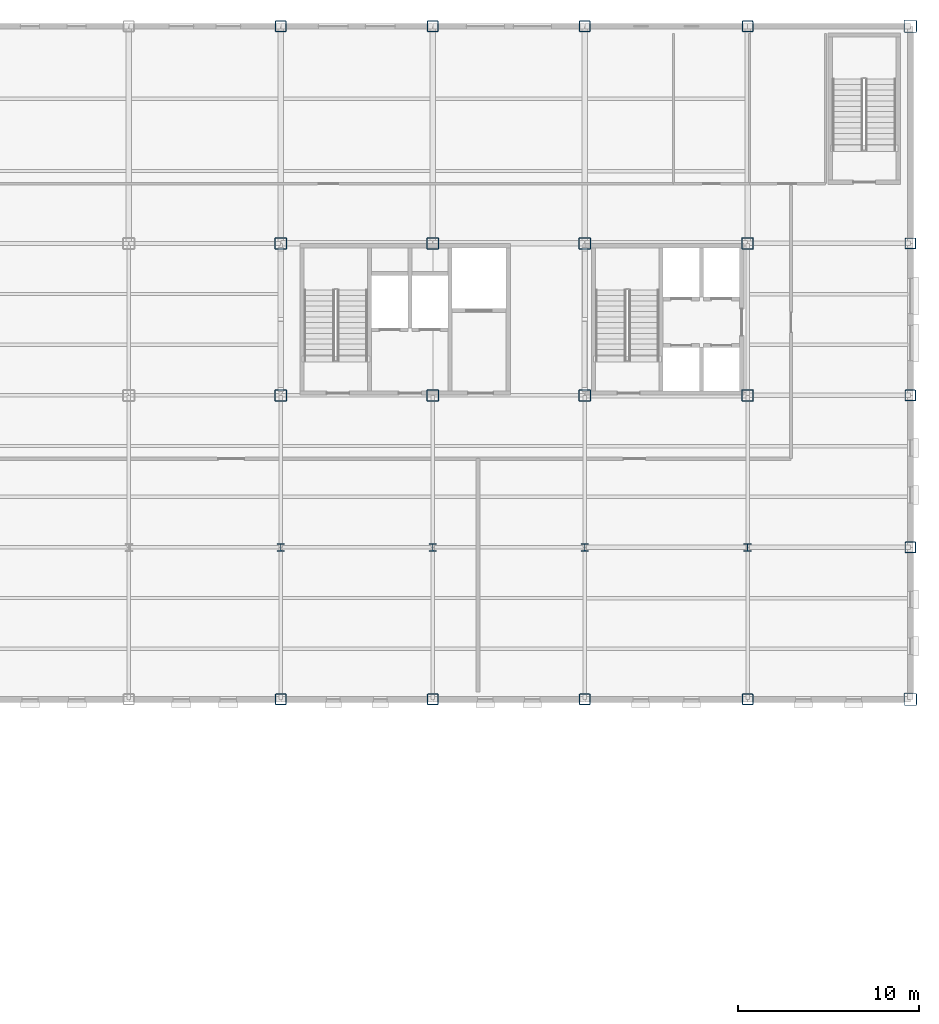
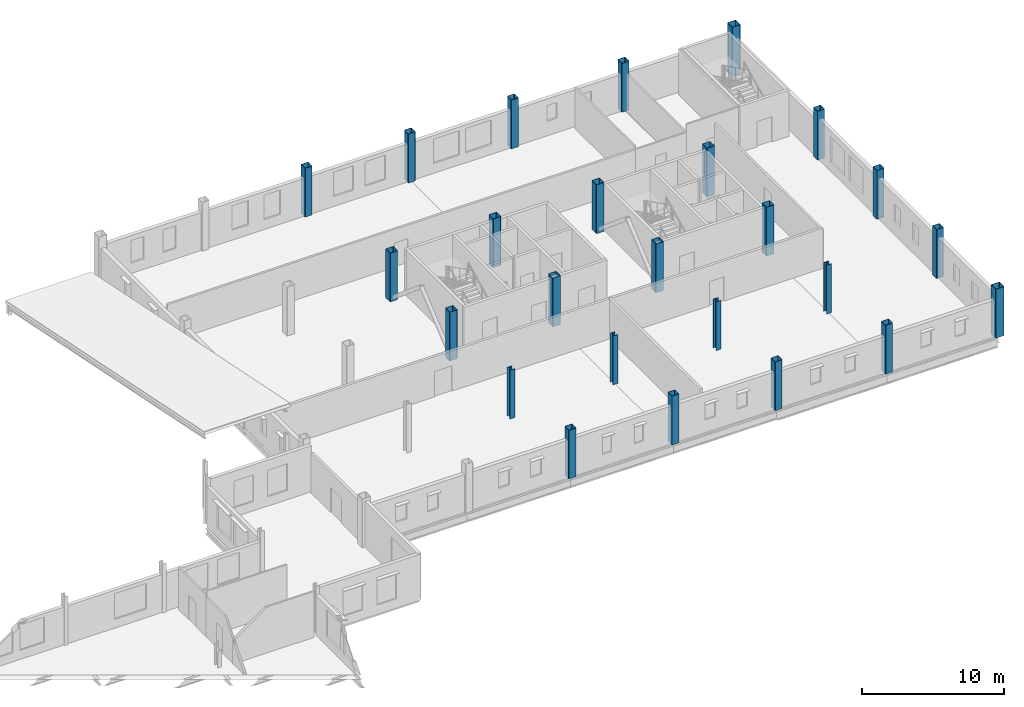
# One storey, part 14 of 75: 25 columns.
"""IFC4 building model written with IfcOpenShell, lengths in metres."""

from ifc_helpers import new_model, si_unit, direction, frame, origin, origin_2d, place, context, subcontext, project, spatial, hollow_rectangle, i_section, extrude, material, material_profile, profile_set, type_object, element, save


model = new_model("IFC4")

# Units and contexts
model_context = context("Model", 3, precision=1e-05, world=origin(), true_north=direction((0.0, 1.0)))
body_context = subcontext(model_context, "Body", "Model", "MODEL_VIEW")
ifc_project = project(units=[si_unit("LENGTHUNIT", "METRE"), si_unit("AREAUNIT", "SQUARE_METRE"), si_unit("VOLUMEUNIT", "CUBIC_METRE"), si_unit("PLANEANGLEUNIT", "RADIAN"), si_unit("MASSUNIT", "GRAM", prefix="KILO")], contexts=[model_context])

# Site, building, storey
site_placement = place(None, origin())
site = spatial("IfcSite", under=ifc_project, at=site_placement, CompositionType="ELEMENT")
building_placement = place(site_placement, origin())
building = spatial("IfcBuilding", under=site, at=building_placement, Name="Yukiwa Park Conservatory and Herbarium", CompositionType="ELEMENT")
storey_placement = place(building_placement, frame((0.0, 0.0, 4.800048828125)))
storey = spatial("IfcBuildingStorey", under=building, at=storey_placement, Name="L01", CompositionType="ELEMENT", Elevation=4.800048828125)

# Columns
ifc_material_1 = material(Name="Steel Q355D", Category="steel")
ifc_material_profile_1 = material_profile(ifc_material_1, hollow_rectangle(XDim=0.60009765625, YDim=0.60009765625, WallThickness=0.02490234375, InnerFilletRadius=0.02490234375, OuterFilletRadius=0.050048828125, at=origin_2d()), Name="BOX 600x600x25")
ifc_profile_set_1 = profile_set([ifc_material_profile_1], Name="Steel Q355D")
column_type_1 = type_object("IfcColumnType", Name="COL-TW-BOX600-EXT", PredefinedType="COLUMN", material=ifc_profile_set_1)
for number, where, z_axis, x_axis, name in (
    (1, (133.199951171875, 78.0, 0.0), (0.0, 0.0, 1.0), (1.0, 0.0, 0.0), "L01 column V5-X1332-Y780"),
    (2, (133.199951171875, 115.199951171875, 0.0), (0.0, 0.0, 1.0), (1.0, 0.0, 0.0), "L01 column V5-X1332-Y1152"),
    (3, (141.60009765625, 78.0, 0.0), (0.0, 0.0, 1.0), (1.0, 0.0, 0.0), "L01 column V5-X1416-Y780"),
    (4, (141.60009765625, 115.199951171875, 0.0), (0.0, 0.0, 1.0), (1.0, 0.0, 0.0), "L01 column V5-X1416-Y1152"),
    (5, (150.0, 78.0, 0.0), (0.0, 0.0, 1.0), (1.0, 0.0, 0.0), "L01 column V5-X1500-Y780"),
    (6, (150.0, 115.199951171875, 0.0), (0.0, 0.0, 1.0), (1.0, 0.0, 0.0), "L01 column V5-X1500-Y1152"),
    (7, (159.0, 78.0, 0.0), (0.0, 0.0, 1.0), (1.0, 0.0, 0.0), "L01 column V5-X1590-Y780"),
    (8, (159.0, 115.199951171875, 0.0), (0.0, 0.0, 1.0), (1.0, 0.0, 0.0), "L01 column V5-X1590-Y1152"),
    (9, (168.0, 86.39990234375, 0.0), (0.0, 0.0, 1.0), (1.0, 0.0, 0.0), "L01 column V5-X1680-Y864"),
    (10, (168.0, 94.800048828125, 0.0), (0.0, 0.0, 1.0), (1.0, 0.0, 0.0), "L01 column V5-X1680-Y948"),
    (11, (168.0, 103.199951171875, 0.0), (0.0, 0.0, 1.0), (1.0, 0.0, 0.0), "L01 column V5-X1680-Y1032"),
):
    element("IfcColumn", number, at=place(storey_placement, frame(where, z_axis=z_axis, x_axis=x_axis)), inside=storey, type_object=column_type_1, Name=name, PredefinedType="COLUMN", context=body_context, shape_type="SweptSolid", body=[
        extrude(hollow_rectangle(XDim=0.60009765625, YDim=0.60009765625, WallThickness=0.02490234375, InnerFilletRadius=0.02490234375, OuterFilletRadius=0.050048828125, at=origin_2d()), origin(), (0.0, 0.0, 1.0), 4.199951171875),
    ])
ifc_material_2 = material(Name="Steel Q355D", Category="steel")
ifc_material_profile_2 = material_profile(ifc_material_2, hollow_rectangle(XDim=0.64990234375, YDim=0.64990234375, WallThickness=0.028076171875, InnerFilletRadius=0.028076171875, OuterFilletRadius=0.055908203125, at=origin_2d()), Name="BOX 650x650x28")
ifc_profile_set_2 = profile_set([ifc_material_profile_2], Name="Steel Q355D")
column_type_2 = type_object("IfcColumnType", Name="COL-TW-BOX650", PredefinedType="COLUMN", material=ifc_profile_set_2)
for number, where, z_axis, x_axis, name in (
    (12, (133.199951171875, 94.800048828125, 0.0), (0.0, 0.0, 1.0), (1.0, 0.0, 0.0), "L01 column V5-X1332-Y948"),
    (13, (133.199951171875, 103.199951171875, 0.0), (0.0, 0.0, 1.0), (1.0, 0.0, 0.0), "L01 column V5-X1332-Y1032"),
    (14, (141.60009765625, 94.800048828125, 0.0), (0.0, 0.0, 1.0), (1.0, 0.0, 0.0), "L01 column V5-X1416-Y948"),
    (15, (141.60009765625, 103.199951171875, 0.0), (0.0, 0.0, 1.0), (1.0, 0.0, 0.0), "L01 column V5-X1416-Y1032"),
    (16, (150.0, 94.800048828125, 0.0), (0.0, 0.0, 1.0), (1.0, 0.0, 0.0), "L01 column V5-X1500-Y948"),
    (17, (150.0, 103.199951171875, 0.0), (0.0, 0.0, 1.0), (1.0, 0.0, 0.0), "L01 column V5-X1500-Y1032"),
    (18, (159.0, 94.800048828125, 0.0), (0.0, 0.0, 1.0), (1.0, 0.0, 0.0), "L01 column V5-X1590-Y948"),
    (19, (159.0, 103.199951171875, 0.0), (0.0, 0.0, 1.0), (1.0, 0.0, 0.0), "L01 column V5-X1590-Y1032"),
):
    element("IfcColumn", number, at=place(storey_placement, frame(where, z_axis=z_axis, x_axis=x_axis)), inside=storey, type_object=column_type_2, Name=name, PredefinedType="COLUMN", context=body_context, shape_type="SweptSolid", body=[
        extrude(hollow_rectangle(XDim=0.64990234375, YDim=0.64990234375, WallThickness=0.028076171875, InnerFilletRadius=0.028076171875, OuterFilletRadius=0.055908203125, at=origin_2d()), origin(), (0.0, 0.0, 1.0), 4.199951171875),
    ])
ifc_material_3 = material(Name="Steel Q355D", Category="steel")
ifc_material_profile_3 = material_profile(ifc_material_3, hollow_rectangle(XDim=0.699951171875, YDim=0.699951171875, WallThickness=0.031982421875, InnerFilletRadius=0.031982421875, OuterFilletRadius=0.06396484375, at=origin_2d()), Name="BOX 700x700x32")
ifc_profile_set_3 = profile_set([ifc_material_profile_3], Name="Steel Q355D")
column_type_3 = type_object("IfcColumnType", Name="COL-TW-BOX700-EXT", PredefinedType="COLUMN", material=ifc_profile_set_3)
for number, where, z_axis, x_axis, name in (
    (20, (168.0, 78.0, 0.0), (0.0, 0.0, 1.0), (1.0, 0.0, 0.0), "L01 column V5-X1680-Y780"),
    (21, (168.0, 115.199951171875, 0.0), (0.0, 0.0, 1.0), (1.0, 0.0, 0.0), "L01 column V5-X1680-Y1152"),
):
    element("IfcColumn", number, at=place(storey_placement, frame(where, z_axis=z_axis, x_axis=x_axis)), inside=storey, type_object=column_type_3, Name=name, PredefinedType="COLUMN", context=body_context, shape_type="SweptSolid", body=[
        extrude(hollow_rectangle(XDim=0.699951171875, YDim=0.699951171875, WallThickness=0.031982421875, InnerFilletRadius=0.031982421875, OuterFilletRadius=0.06396484375, at=origin_2d()), origin(), (0.0, 0.0, 1.0), 4.199951171875),
    ])
ifc_material_4 = material(Name="Steel Q355D", Category="steel")
ifc_material_profile_4 = material_profile(ifc_material_4, i_section(OverallWidth=0.406982421875, OverallDepth=0.427978515625, WebThickness=0.02001953125, FlangeThickness=0.034912109375, FilletRadius=0.02197265625, at=origin_2d()), Name="HW 428x407x20x35")
ifc_profile_set_4 = profile_set([ifc_material_profile_4], Name="Steel Q355D")
column_type_4 = type_object("IfcColumnType", Name="COL-TW-HW428", PredefinedType="COLUMN", material=ifc_profile_set_4)
for number, where, z_axis, x_axis, name in (
    (22, (133.199951171875, 86.39990234375, 0.0), (0.0, 0.0, 1.0), (1.0, 0.0, 0.0), "L01 column V5-X1332-Y864"),
    (23, (141.60009765625, 86.39990234375, 0.0), (0.0, 0.0, 1.0), (1.0, 0.0, 0.0), "L01 column V5-X1416-Y864"),
    (24, (150.0, 86.39990234375, 0.0), (0.0, 0.0, 1.0), (1.0, 0.0, 0.0), "L01 column V5-X1500-Y864"),
    (25, (159.0, 86.39990234375, 0.0), (0.0, 0.0, 1.0), (1.0, 0.0, 0.0), "L01 column V5-X1590-Y864"),
):
    element("IfcColumn", number, at=place(storey_placement, frame(where, z_axis=z_axis, x_axis=x_axis)), inside=storey, type_object=column_type_4, Name=name, PredefinedType="COLUMN", context=body_context, shape_type="SweptSolid", body=[
        extrude(i_section(OverallWidth=0.406982421875, OverallDepth=0.427978515625, WebThickness=0.02001953125, FlangeThickness=0.034912109375, FilletRadius=0.02197265625, at=origin_2d()), origin(), (0.0, 0.0, 1.0), 4.199951171875),
    ])

save(model, "model.ifc")
